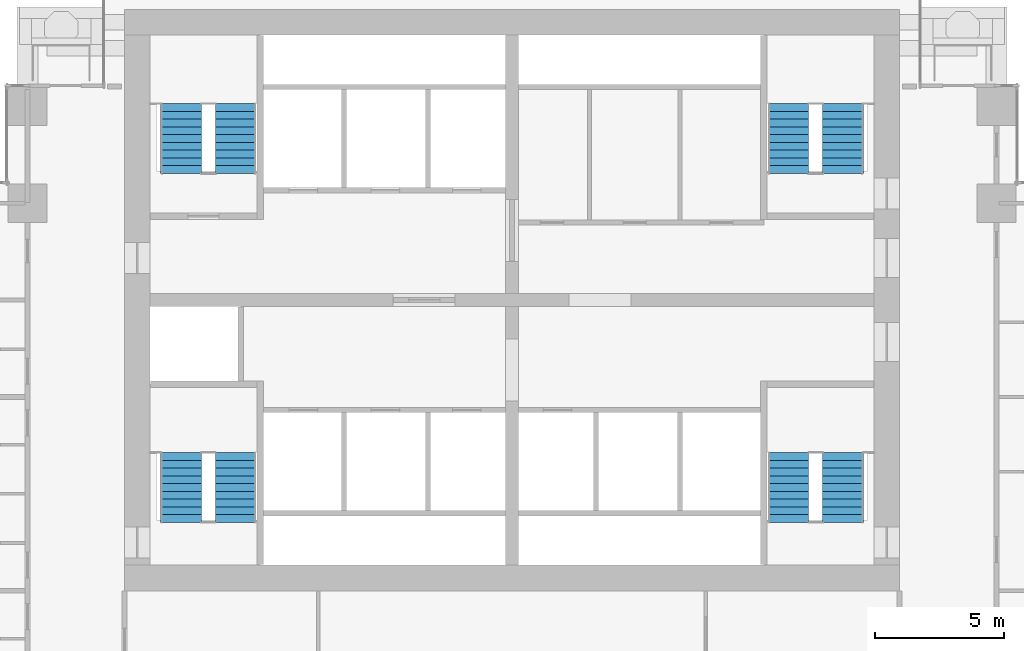
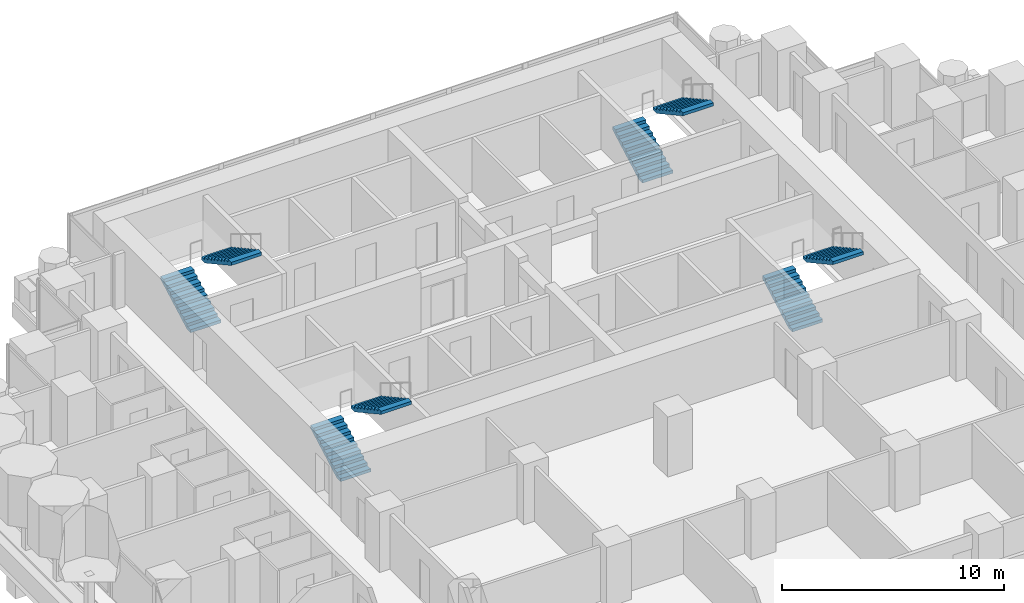
# One storey, part 15 of 18: 8 stair flights, 4 elements without a shape of their own.
"""IFC4 building model written with IfcOpenShell, lengths in metres."""

from ifc_helpers import new_model, si_unit, direction, frame, origin, place, context, subcontext, project, spatial, polyline, outline, extrude, material, type_object, element, aggregate, save


model = new_model("IFC4")

# Units and contexts
model_context = context("Model", 3, precision=1e-05, world=origin(), true_north=direction((0.0, 1.0)))
body_context = subcontext(model_context, "Body", "Model", "MODEL_VIEW")
ifc_project = project(units=[si_unit("LENGTHUNIT", "METRE"), si_unit("AREAUNIT", "SQUARE_METRE"), si_unit("VOLUMEUNIT", "CUBIC_METRE"), si_unit("PLANEANGLEUNIT", "RADIAN"), si_unit("MASSUNIT", "GRAM", prefix="KILO")], contexts=[model_context])

# Site, building, storey
site_placement = place(None, origin())
site = spatial("IfcSite", under=ifc_project, at=site_placement, CompositionType="ELEMENT")
building_placement = place(site_placement, origin())
building = spatial("IfcBuilding", under=site, at=building_placement, Name="Pilkhan Gate Tower", CompositionType="ELEMENT")
storey_placement = place(building_placement, frame((0.0, 0.0, 75.800048828125)))
storey = spatial("IfcBuildingStorey", under=building, at=storey_placement, Name="L17", CompositionType="ELEMENT", Elevation=75.800048828125)

# Stair, stair flights
ifc_material = material(Name="Concrete C40/50 precast", Category="concrete")
stair_type_1 = type_object("IfcStairType", Name="Stair ST1 165x300", PredefinedType="HALF_TURN_STAIR", material=ifc_material)
stair_1_placement = place(storey_placement, origin())
stair_1 = element("IfcStair", 1, at=stair_1_placement, inside=storey, type_object=stair_type_1, Name="Stair ST1 L17", PredefinedType="HALF_TURN_STAIR")
stair_flight_type_1 = type_object("IfcStairFlightType", Name="Stair flight ST1 165x300x10", PredefinedType="STRAIGHT", material=ifc_material)
stair_flight_1_placement = place(storey_placement, frame((85.68994140625, 73.89990234375, 0.0), z_axis=(0.0, 0.0, 1.0), x_axis=(0.0, 1.0, 0.0)))
stair_flight_1 = element("IfcStairFlight", 2, at=stair_flight_1_placement, type_object=stair_flight_type_1, Name="ST1 flight 1", NumberOfRisers=10, NumberOfTreads=9, PredefinedType="STRAIGHT", RiserHeight=0.165, TreadLength=0.3, context=body_context, shape_type="SweptSolid", body=[
    extrude(outline(polyline([(0.0, 0.0), (0.0, 0.1650390625), (0.300048828125, 0.1650390625), (0.300048828125, 0.330078125), (0.60009765625, 0.330078125), (0.60009765625, 0.4951171875), (0.89990234375, 0.4951171875), (0.89990234375, 0.659912109375), (1.199951171875, 0.659912109375), (1.199951171875, 0.824951171875), (1.5, 0.824951171875), (1.5, 0.989990234375), (1.800048828125, 0.989990234375), (1.800048828125, 1.155029296875), (2.10009765625, 1.155029296875), (2.10009765625, 1.320068359375), (2.39990234375, 1.320068359375), (2.39990234375, 1.485107421875), (2.699951171875, 1.485107421875), (2.699951171875, 1.64990234375), (2.699951171875, 1.31396484375), (0.31103515625, 0.0), (0.0, 0.0)])), frame((0.0, 0.7900390625, 0.0), z_axis=(0.0, -1.0, 0.0), x_axis=(1.0, 0.0, 0.0)), (0.0, 0.0, 1.0), 1.580078125),
])
stair_flight_2_placement = place(storey_placement, frame((87.81005859375, 76.60009765625, 1.64990234375), z_axis=(0.0, 0.0, 1.0), x_axis=(0.0, -1.0, 0.0)))
stair_flight_2 = element("IfcStairFlight", 3, at=stair_flight_2_placement, type_object=stair_flight_type_1, Name="ST1 flight 2", NumberOfRisers=10, NumberOfTreads=9, PredefinedType="STRAIGHT", RiserHeight=0.165, TreadLength=0.3, context=body_context, shape_type="SweptSolid", body=[
    extrude(outline(polyline([(0.0, 0.0), (0.0, 0.1650390625), (0.300048828125, 0.1650390625), (0.300048828125, 0.330078125), (0.60009765625, 0.330078125), (0.60009765625, 0.4951171875), (0.89990234375, 0.4951171875), (0.89990234375, 0.659912109375), (1.199951171875, 0.659912109375), (1.199951171875, 0.824951171875), (1.5, 0.824951171875), (1.5, 0.989990234375), (1.800048828125, 0.989990234375), (1.800048828125, 1.155029296875), (2.10009765625, 1.155029296875), (2.10009765625, 1.320068359375), (2.39990234375, 1.320068359375), (2.39990234375, 1.485107421875), (2.699951171875, 1.485107421875), (2.699951171875, 1.64990234375), (2.699951171875, 1.31396484375), (0.31103515625, 0.0), (0.0, 0.0)])), frame((0.0, 0.7900390625, 0.0), z_axis=(0.0, -1.0, 0.0), x_axis=(1.0, 0.0, 0.0)), (0.0, 0.0, 1.0), 1.580078125),
])
aggregate(stair_1, [stair_flight_1, stair_flight_2])

stair_type_2 = type_object("IfcStairType", Name="Stair ST2 165x300", PredefinedType="HALF_TURN_STAIR", material=ifc_material)
stair_2_placement = place(storey_placement, origin())
stair_2 = element("IfcStair", 4, at=stair_2_placement, inside=storey, type_object=stair_type_2, Name="Stair ST2 L17", PredefinedType="HALF_TURN_STAIR")
stair_flight_type_2 = type_object("IfcStairFlightType", Name="Stair flight ST2 165x300x10", PredefinedType="STRAIGHT", material=ifc_material)
stair_flight_3_placement = place(storey_placement, frame((62.18994140625, 73.89990234375, 0.0), z_axis=(0.0, 0.0, 1.0), x_axis=(0.0, 1.0, 0.0)))
stair_flight_3 = element("IfcStairFlight", 5, at=stair_flight_3_placement, type_object=stair_flight_type_2, Name="ST2 flight 1", NumberOfRisers=10, NumberOfTreads=9, PredefinedType="STRAIGHT", RiserHeight=0.165, TreadLength=0.3, context=body_context, shape_type="SweptSolid", body=[
    extrude(outline(polyline([(0.0, 0.0), (0.0, 0.1650390625), (0.300048828125, 0.1650390625), (0.300048828125, 0.330078125), (0.60009765625, 0.330078125), (0.60009765625, 0.4951171875), (0.89990234375, 0.4951171875), (0.89990234375, 0.659912109375), (1.199951171875, 0.659912109375), (1.199951171875, 0.824951171875), (1.5, 0.824951171875), (1.5, 0.989990234375), (1.800048828125, 0.989990234375), (1.800048828125, 1.155029296875), (2.10009765625, 1.155029296875), (2.10009765625, 1.320068359375), (2.39990234375, 1.320068359375), (2.39990234375, 1.485107421875), (2.699951171875, 1.485107421875), (2.699951171875, 1.64990234375), (2.699951171875, 1.31396484375), (0.31103515625, 0.0), (0.0, 0.0)])), frame((0.0, 0.7900390625, 0.0), z_axis=(0.0, -1.0, 0.0), x_axis=(1.0, 0.0, 0.0)), (0.0, 0.0, 1.0), 1.580078125),
])
stair_flight_4_placement = place(storey_placement, frame((64.31005859375, 76.60009765625, 1.64990234375), z_axis=(0.0, 0.0, 1.0), x_axis=(0.0, -1.0, 0.0)))
stair_flight_4 = element("IfcStairFlight", 6, at=stair_flight_4_placement, type_object=stair_flight_type_2, Name="ST2 flight 2", NumberOfRisers=10, NumberOfTreads=9, PredefinedType="STRAIGHT", RiserHeight=0.165, TreadLength=0.3, context=body_context, shape_type="SweptSolid", body=[
    extrude(outline(polyline([(0.0, 0.0), (0.0, 0.1650390625), (0.300048828125, 0.1650390625), (0.300048828125, 0.330078125), (0.60009765625, 0.330078125), (0.60009765625, 0.4951171875), (0.89990234375, 0.4951171875), (0.89990234375, 0.659912109375), (1.199951171875, 0.659912109375), (1.199951171875, 0.824951171875), (1.5, 0.824951171875), (1.5, 0.989990234375), (1.800048828125, 0.989990234375), (1.800048828125, 1.155029296875), (2.10009765625, 1.155029296875), (2.10009765625, 1.320068359375), (2.39990234375, 1.320068359375), (2.39990234375, 1.485107421875), (2.699951171875, 1.485107421875), (2.699951171875, 1.64990234375), (2.699951171875, 1.31396484375), (0.31103515625, 0.0), (0.0, 0.0)])), frame((0.0, 0.7900390625, 0.0), z_axis=(0.0, -1.0, 0.0), x_axis=(1.0, 0.0, 0.0)), (0.0, 0.0, 1.0), 1.580078125),
])
aggregate(stair_2, [stair_flight_3, stair_flight_4])

stair_type_3 = type_object("IfcStairType", Name="Stair ST3 165x300", PredefinedType="HALF_TURN_STAIR", material=ifc_material)
stair_3_placement = place(storey_placement, origin())
stair_3 = element("IfcStair", 7, at=stair_3_placement, inside=storey, type_object=stair_type_3, Name="Stair ST3 L17", PredefinedType="HALF_TURN_STAIR")
stair_flight_type_3 = type_object("IfcStairFlightType", Name="Stair flight ST3 165x300x10", PredefinedType="STRAIGHT", material=ifc_material)
stair_flight_5_placement = place(storey_placement, frame((62.18994140625, 87.39990234375, 0.0), z_axis=(0.0, 0.0, 1.0), x_axis=(0.0, 1.0, 0.0)))
stair_flight_5 = element("IfcStairFlight", 8, at=stair_flight_5_placement, type_object=stair_flight_type_3, Name="ST3 flight 1", NumberOfRisers=10, NumberOfTreads=9, PredefinedType="STRAIGHT", RiserHeight=0.165, TreadLength=0.3, context=body_context, shape_type="SweptSolid", body=[
    extrude(outline(polyline([(0.0, 0.0), (0.0, 0.1650390625), (0.300048828125, 0.1650390625), (0.300048828125, 0.330078125), (0.60009765625, 0.330078125), (0.60009765625, 0.4951171875), (0.89990234375, 0.4951171875), (0.89990234375, 0.659912109375), (1.199951171875, 0.659912109375), (1.199951171875, 0.824951171875), (1.5, 0.824951171875), (1.5, 0.989990234375), (1.800048828125, 0.989990234375), (1.800048828125, 1.155029296875), (2.10009765625, 1.155029296875), (2.10009765625, 1.320068359375), (2.39990234375, 1.320068359375), (2.39990234375, 1.485107421875), (2.699951171875, 1.485107421875), (2.699951171875, 1.64990234375), (2.699951171875, 1.31396484375), (0.31103515625, 0.0), (0.0, 0.0)])), frame((0.0, 0.7900390625, 0.0), z_axis=(0.0, -1.0, 0.0), x_axis=(1.0, 0.0, 0.0)), (0.0, 0.0, 1.0), 1.580078125),
])
stair_flight_6_placement = place(storey_placement, frame((64.31005859375, 90.10009765625, 1.64990234375), z_axis=(0.0, 0.0, 1.0), x_axis=(0.0, -1.0, 0.0)))
stair_flight_6 = element("IfcStairFlight", 9, at=stair_flight_6_placement, type_object=stair_flight_type_3, Name="ST3 flight 2", NumberOfRisers=10, NumberOfTreads=9, PredefinedType="STRAIGHT", RiserHeight=0.165, TreadLength=0.3, context=body_context, shape_type="SweptSolid", body=[
    extrude(outline(polyline([(0.0, 0.0), (0.0, 0.1650390625), (0.300048828125, 0.1650390625), (0.300048828125, 0.330078125), (0.60009765625, 0.330078125), (0.60009765625, 0.4951171875), (0.89990234375, 0.4951171875), (0.89990234375, 0.659912109375), (1.199951171875, 0.659912109375), (1.199951171875, 0.824951171875), (1.5, 0.824951171875), (1.5, 0.989990234375), (1.800048828125, 0.989990234375), (1.800048828125, 1.155029296875), (2.10009765625, 1.155029296875), (2.10009765625, 1.320068359375), (2.39990234375, 1.320068359375), (2.39990234375, 1.485107421875), (2.699951171875, 1.485107421875), (2.699951171875, 1.64990234375), (2.699951171875, 1.31396484375), (0.31103515625, 0.0), (0.0, 0.0)])), frame((0.0, 0.7900390625, 0.0), z_axis=(0.0, -1.0, 0.0), x_axis=(1.0, 0.0, 0.0)), (0.0, 0.0, 1.0), 1.580078125),
])
aggregate(stair_3, [stair_flight_5, stair_flight_6])

stair_type_4 = type_object("IfcStairType", Name="Stair ST4 165x300", PredefinedType="HALF_TURN_STAIR", material=ifc_material)
stair_4_placement = place(storey_placement, origin())
stair_4 = element("IfcStair", 10, at=stair_4_placement, inside=storey, type_object=stair_type_4, Name="Stair ST4 L17", PredefinedType="HALF_TURN_STAIR")
stair_flight_type_4 = type_object("IfcStairFlightType", Name="Stair flight ST4 165x300x10", PredefinedType="STRAIGHT", material=ifc_material)
stair_flight_7_placement = place(storey_placement, frame((85.68994140625, 87.39990234375, 0.0), z_axis=(0.0, 0.0, 1.0), x_axis=(0.0, 1.0, 0.0)))
stair_flight_7 = element("IfcStairFlight", 11, at=stair_flight_7_placement, type_object=stair_flight_type_4, Name="ST4 flight 1", NumberOfRisers=10, NumberOfTreads=9, PredefinedType="STRAIGHT", RiserHeight=0.165, TreadLength=0.3, context=body_context, shape_type="SweptSolid", body=[
    extrude(outline(polyline([(0.0, 0.0), (0.0, 0.1650390625), (0.300048828125, 0.1650390625), (0.300048828125, 0.330078125), (0.60009765625, 0.330078125), (0.60009765625, 0.4951171875), (0.89990234375, 0.4951171875), (0.89990234375, 0.659912109375), (1.199951171875, 0.659912109375), (1.199951171875, 0.824951171875), (1.5, 0.824951171875), (1.5, 0.989990234375), (1.800048828125, 0.989990234375), (1.800048828125, 1.155029296875), (2.10009765625, 1.155029296875), (2.10009765625, 1.320068359375), (2.39990234375, 1.320068359375), (2.39990234375, 1.485107421875), (2.699951171875, 1.485107421875), (2.699951171875, 1.64990234375), (2.699951171875, 1.31396484375), (0.31103515625, 0.0), (0.0, 0.0)])), frame((0.0, 0.7900390625, 0.0), z_axis=(0.0, -1.0, 0.0), x_axis=(1.0, 0.0, 0.0)), (0.0, 0.0, 1.0), 1.580078125),
])
stair_flight_8_placement = place(storey_placement, frame((87.81005859375, 90.10009765625, 1.64990234375), z_axis=(0.0, 0.0, 1.0), x_axis=(0.0, -1.0, 0.0)))
stair_flight_8 = element("IfcStairFlight", 12, at=stair_flight_8_placement, type_object=stair_flight_type_4, Name="ST4 flight 2", NumberOfRisers=10, NumberOfTreads=9, PredefinedType="STRAIGHT", RiserHeight=0.165, TreadLength=0.3, context=body_context, shape_type="SweptSolid", body=[
    extrude(outline(polyline([(0.0, 0.0), (0.0, 0.1650390625), (0.300048828125, 0.1650390625), (0.300048828125, 0.330078125), (0.60009765625, 0.330078125), (0.60009765625, 0.4951171875), (0.89990234375, 0.4951171875), (0.89990234375, 0.659912109375), (1.199951171875, 0.659912109375), (1.199951171875, 0.824951171875), (1.5, 0.824951171875), (1.5, 0.989990234375), (1.800048828125, 0.989990234375), (1.800048828125, 1.155029296875), (2.10009765625, 1.155029296875), (2.10009765625, 1.320068359375), (2.39990234375, 1.320068359375), (2.39990234375, 1.485107421875), (2.699951171875, 1.485107421875), (2.699951171875, 1.64990234375), (2.699951171875, 1.31396484375), (0.31103515625, 0.0), (0.0, 0.0)])), frame((0.0, 0.7900390625, 0.0), z_axis=(0.0, -1.0, 0.0), x_axis=(1.0, 0.0, 0.0)), (0.0, 0.0, 1.0), 1.580078125),
])
aggregate(stair_4, [stair_flight_7, stair_flight_8])

save(model, "model.ifc")
